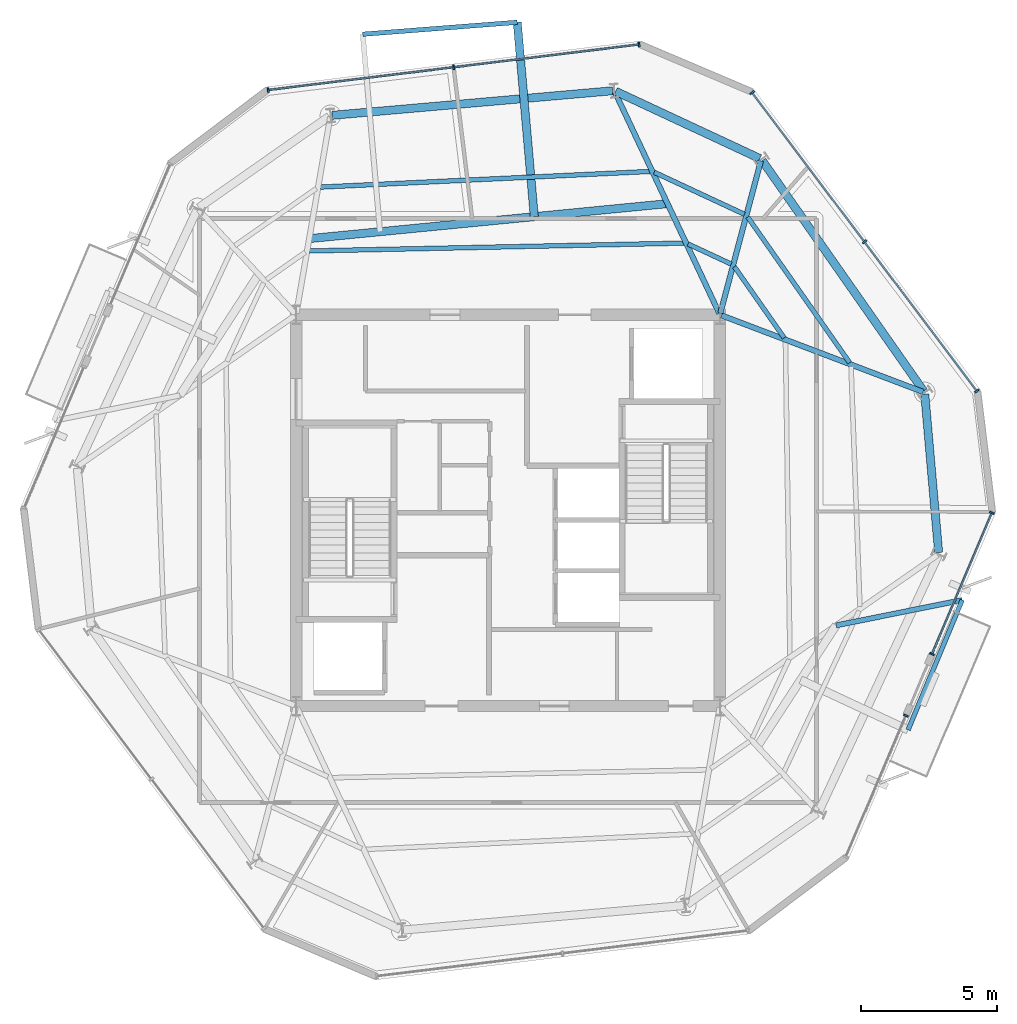
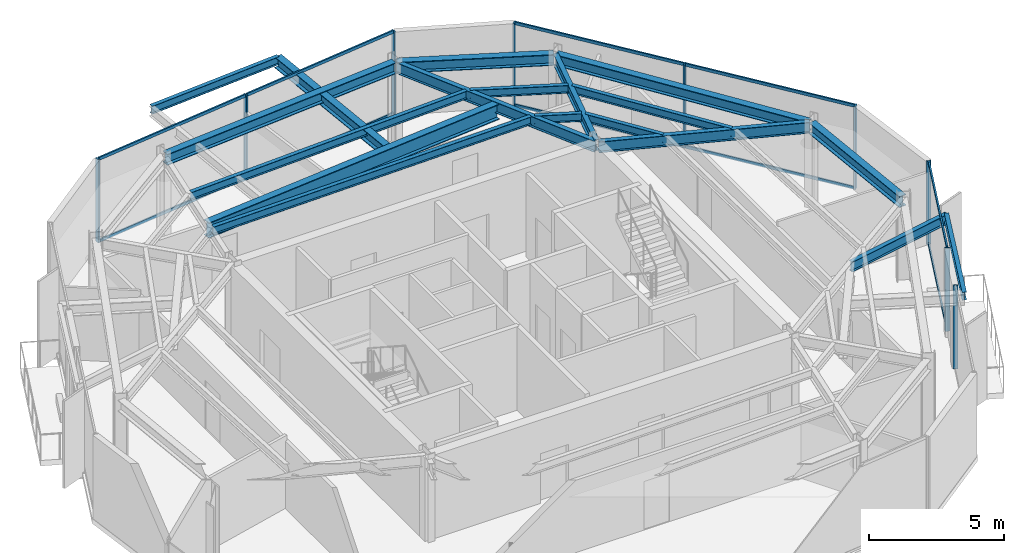
# One storey, part 5 of 11: 19 members, 18 beams, 4 elements without a shape of their own.
"""IFC4 building model written with IfcOpenShell, lengths in metres."""

from ifc_helpers import new_model, si_unit, direction, frame, origin, origin_2d, place, context, subcontext, project, spatial, rectangle, i_section, extrude, material, layer, layer_set, material_profile, profile_set, type_object, element, aggregate, save


model = new_model("IFC4")

# Units and contexts
model_context = context("Model", 3, precision=1e-05, world=origin(), true_north=direction((0.0, 1.0)))
body_context = subcontext(model_context, "Body", "Model", "MODEL_VIEW")
ifc_project = project(units=[si_unit("LENGTHUNIT", "METRE"), si_unit("AREAUNIT", "SQUARE_METRE"), si_unit("VOLUMEUNIT", "CUBIC_METRE"), si_unit("PLANEANGLEUNIT", "RADIAN"), si_unit("MASSUNIT", "GRAM", prefix="KILO")], contexts=[model_context])

# Site, building, storey
site_placement = place(None, origin())
site = spatial("IfcSite", under=ifc_project, at=site_placement, CompositionType="ELEMENT")
building_placement = place(site_placement, origin())
building = spatial("IfcBuilding", under=site, at=building_placement, Name="Kranzbogen Civic Tower", CompositionType="ELEMENT")
storey_placement = place(building_placement, frame((0.0, 0.0, 294.199951171875)))
storey = spatial("IfcBuildingStorey", under=building, at=storey_placement, Name="L71", CompositionType="ELEMENT", Elevation=294.199951171875)

# Beam
ifc_material_1 = material(Name="Steel S355", Category="steel")
ifc_material_profile_1 = material_profile(ifc_material_1, i_section(OverallWidth=0.18994140625, OverallDepth=0.449951171875, WebThickness=0.009521484375, FlangeThickness=0.0146484375, at=origin_2d()), Name="IPE 450")
ifc_profile_set_1 = profile_set([ifc_material_profile_1], Name="Steel S355")
beam_type_1 = type_object("IfcBeamType", Name="Braced Terrace Edge Beam IPE 450", PredefinedType="BEAM", material=ifc_profile_set_1)
beam_1_placement = place(storey_placement, frame((37.075927734375, 20.76708984375, 3.525146484375), z_axis=(0.980312003659, 0.197454742873, 0.0), x_axis=(-0.197454742873, 0.980312003659, 0.0)))
element("IfcBeam", 1, at=beam_1_placement, inside=storey, type_object=beam_type_1, Name="L72 back-spanned terrace beam L72-TB1-2", PredefinedType="BEAM", context=body_context, shape_type="SweptSolid", body=[
    extrude(i_section(OverallWidth=0.18994140625, OverallDepth=0.449951171875, WebThickness=0.009521484375, FlangeThickness=0.0146484375, at=origin_2d()), origin(), (0.0, 0.0, 1.0), 4.734375),
])

# Curtain wall, members
ifc_material_2 = material(Name="Pale Anodised Aluminium", Category="aluminium")
ifc_layer = layer(ifc_material_2, 0.219970703125, Name="Pale Anodised Aluminium")
ifc_layer_set = layer_set([ifc_layer], Name="Pale Anodised Aluminium")
curtain_wall_type = type_object("IfcCurtainWallType", Name="Zone 4 Stick Curtain Wall System CW-05", PredefinedType="USERDEFINED", material=ifc_layer_set)
curtain_wall_1_placement = place(storey_placement, origin())
curtain_wall_1 = element("IfcCurtainWall", 2, at=curtain_wall_1_placement, inside=storey, type_object=curtain_wall_type, Name="L71 curtain wall CW-L71-F1", ObjectType="STICK CURTAIN WALL", PredefinedType="USERDEFINED")
ifc_material_profile_2 = material_profile(ifc_material_2, rectangle(XDim=0.06494140625, YDim=0.179931640625, at=origin_2d()), Name="ALU-M 65x180")
ifc_profile_set_2 = profile_set([ifc_material_profile_2], Name="Pale Anodised Aluminium")
member_type_1 = type_object("IfcMemberType", Name="Curtain Wall Mullion ALU-M 65x180", PredefinedType="MULLION", material=ifc_profile_set_2)
member_1_placement = place(storey_placement, frame((29.82421875, 42.145263671875, 0.0), z_axis=(0.0, 0.0, 1.0), x_axis=(-0.992551595895, -0.121824995324, 0.0)))
member_1 = element("IfcMember", 3, at=member_1_placement, type_object=member_type_1, Name="CW-05 mullion 1", PredefinedType="MULLION", context=body_context, shape_type="SweptSolid", body=[
    extrude(rectangle(XDim=0.06494140625, YDim=0.179931640625, at=origin_2d()), origin(), (0.0, 0.0, 1.0), 3.780029296875),
])
member_2_placement = place(storey_placement, frame((22.998046875, 41.3076171875, 0.0), z_axis=(0.0, 0.0, 1.0), x_axis=(-0.992551595895, -0.121824995324, 0.0)))
member_2 = element("IfcMember", 4, at=member_2_placement, type_object=member_type_1, Name="CW-05 mullion 2", PredefinedType="MULLION", context=body_context, shape_type="SweptSolid", body=[
    extrude(rectangle(XDim=0.06494140625, YDim=0.179931640625, at=origin_2d()), origin(), (0.0, 0.0, 1.0), 3.780029296875),
])
member_3_placement = place(storey_placement, frame((16.171875, 40.4697265625, 0.0), z_axis=(0.0, 0.0, 1.0), x_axis=(-0.992551595895, -0.121824995324, 0.0)))
member_3 = element("IfcMember", 5, at=member_3_placement, type_object=member_type_1, Name="CW-05 mullion 3", PredefinedType="MULLION", context=body_context, shape_type="SweptSolid", body=[
    extrude(rectangle(XDim=0.06494140625, YDim=0.179931640625, at=origin_2d()), origin(), (0.0, 0.0, 1.0), 3.780029296875),
])

# Curtain wall, member
curtain_wall_2_placement = place(storey_placement, origin())
curtain_wall_2 = element("IfcCurtainWall", 6, at=curtain_wall_2_placement, inside=storey, type_object=curtain_wall_type, Name="L71 curtain wall CW-L71-F5-S1", ObjectType="STICK CURTAIN WALL", PredefinedType="USERDEFINED")
member_4_placement = place(storey_placement, frame((39.642333984375, 17.448486328125, 0.0), z_axis=(0.0, 0.0, 1.0), x_axis=(0.390702820326, 0.920516869041, 0.0)))
member_4 = element("IfcMember", 7, at=member_4_placement, type_object=member_type_1, Name="CW-05 mullion 2", PredefinedType="MULLION", context=body_context, shape_type="SweptSolid", body=[
    extrude(rectangle(XDim=0.06494140625, YDim=0.179931640625, at=origin_2d()), origin(), (0.0, 0.0, 1.0), 3.780029296875),
])
aggregate(curtain_wall_2, [member_4])

# Curtain wall, members
curtain_wall_3_placement = place(storey_placement, origin())
curtain_wall_3 = element("IfcCurtainWall", 8, at=curtain_wall_3_placement, inside=storey, type_object=curtain_wall_type, Name="L71 curtain wall CW-L71-F5-S2", ObjectType="STICK CURTAIN WALL", PredefinedType="USERDEFINED")
member_5_placement = place(storey_placement, frame((40.603759765625, 19.712646484375, 0.0), z_axis=(0.0, 0.0, 1.0), x_axis=(0.390702820326, 0.920516869041, 0.0)))
member_5 = element("IfcMember", 9, at=member_5_placement, type_object=member_type_1, Name="CW-05 mullion 1", PredefinedType="MULLION", context=body_context, shape_type="SweptSolid", body=[
    extrude(rectangle(XDim=0.06494140625, YDim=0.179931640625, at=origin_2d()), origin(), (0.0, 0.0, 1.0), 3.780029296875),
])
member_6_placement = place(storey_placement, frame((42.810302734375, 24.911376953125, 0.0), z_axis=(0.0, 0.0, 1.0), x_axis=(0.390702820326, 0.920516869041, 0.0)))
member_6 = element("IfcMember", 10, at=member_6_placement, type_object=member_type_1, Name="CW-05 mullion 2", PredefinedType="MULLION", context=body_context, shape_type="SweptSolid", body=[
    extrude(rectangle(XDim=0.06494140625, YDim=0.179931640625, at=origin_2d()), origin(), (0.0, 0.0, 1.0), 3.780029296875),
])

curtain_wall_4_placement = place(storey_placement, origin())
curtain_wall_4 = element("IfcCurtainWall", 11, at=curtain_wall_4_placement, inside=storey, type_object=curtain_wall_type, Name="L71 curtain wall CW-L71-F6", ObjectType="STICK CURTAIN WALL", PredefinedType="USERDEFINED")
member_7_placement = place(storey_placement, frame((42.260009765625, 29.39501953125, 0.0), z_axis=(0.0, 0.0, 1.0), x_axis=(-0.601816785199, 0.798634182247, 0.0)))
member_7 = element("IfcMember", 12, at=member_7_placement, type_object=member_type_1, Name="CW-05 mullion 1", PredefinedType="MULLION", context=body_context, shape_type="SweptSolid", body=[
    extrude(rectangle(XDim=0.06494140625, YDim=0.179931640625, at=origin_2d()), origin(), (0.0, 0.0, 1.0), 3.780029296875),
])
member_8_placement = place(storey_placement, frame((38.12109375, 34.887451171875, 0.0), z_axis=(0.0, 0.0, 1.0), x_axis=(-0.601816785199, 0.798634182247, 0.0)))
member_8 = element("IfcMember", 13, at=member_8_placement, type_object=member_type_1, Name="CW-05 mullion 2", PredefinedType="MULLION", context=body_context, shape_type="SweptSolid", body=[
    extrude(rectangle(XDim=0.06494140625, YDim=0.179931640625, at=origin_2d()), origin(), (0.0, 0.0, 1.0), 3.780029296875),
])
member_9_placement = place(storey_placement, frame((33.98193359375, 40.380126953125, 0.0), z_axis=(0.0, 0.0, 1.0), x_axis=(-0.601816785199, 0.798634182247, 0.0)))
member_9 = element("IfcMember", 14, at=member_9_placement, type_object=member_type_1, Name="CW-05 mullion 3", PredefinedType="MULLION", context=body_context, shape_type="SweptSolid", body=[
    extrude(rectangle(XDim=0.06494140625, YDim=0.179931640625, at=origin_2d()), origin(), (0.0, 0.0, 1.0), 3.780029296875),
])

# Member
ifc_material_profile_3 = material_profile(ifc_material_2, rectangle(XDim=0.06494140625, YDim=0.135009765625, at=origin_2d()), Name="ALU-T 65x135")
ifc_profile_set_3 = profile_set([ifc_material_profile_3], Name="Pale Anodised Aluminium")
member_type_2 = type_object("IfcMemberType", Name="Curtain Wall Transom ALU-T 65x135", PredefinedType="USERDEFINED", material=ifc_profile_set_3)
member_10_placement = place(storey_placement, frame((29.79443359375, 42.1416015625, 0.030029296875), z_axis=(-0.992550902384, -0.121830645472, 0.0), x_axis=(0.121830645472, -0.992550902384, 0.0)))
member_10 = element("IfcMember", 15, at=member_10_placement, type_object=member_type_2, Name="CW-05 transom 1.1", ObjectType="TRANSOM", PredefinedType="USERDEFINED", context=body_context, shape_type="SweptSolid", body=[
    extrude(rectangle(XDim=0.06494140625, YDim=0.135009765625, at=origin_2d()), origin(), (0.0, 0.0, 1.0), 6.8173828125),
])

member_11_placement = place(storey_placement, frame((29.79443359375, 42.1416015625, 3.75), z_axis=(-0.992550902384, -0.121830645472, 0.0), x_axis=(0.121830645472, -0.992550902384, 0.0)))
member_11 = element("IfcMember", 16, at=member_11_placement, type_object=member_type_2, Name="CW-05 transom 1.2", ObjectType="TRANSOM", PredefinedType="USERDEFINED", context=body_context, shape_type="SweptSolid", body=[
    extrude(rectangle(XDim=0.06494140625, YDim=0.135009765625, at=origin_2d()), origin(), (0.0, 0.0, 1.0), 6.8173828125),
])

member_12_placement = place(storey_placement, frame((22.96826171875, 41.303955078125, 0.030029296875), z_axis=(-0.992550902384, -0.121830645472, 0.0), x_axis=(0.121830645472, -0.992550902384, 0.0)))
member_12 = element("IfcMember", 17, at=member_12_placement, type_object=member_type_2, Name="CW-05 transom 2.1", ObjectType="TRANSOM", PredefinedType="USERDEFINED", context=body_context, shape_type="SweptSolid", body=[
    extrude(rectangle(XDim=0.06494140625, YDim=0.135009765625, at=origin_2d()), origin(), (0.0, 0.0, 1.0), 6.8173828125),
])

member_13_placement = place(storey_placement, frame((22.96826171875, 41.303955078125, 3.75), z_axis=(-0.992550902384, -0.121830645472, 0.0), x_axis=(0.121830645472, -0.992550902384, 0.0)))
member_13 = element("IfcMember", 18, at=member_13_placement, type_object=member_type_2, Name="CW-05 transom 2.2", ObjectType="TRANSOM", PredefinedType="USERDEFINED", context=body_context, shape_type="SweptSolid", body=[
    extrude(rectangle(XDim=0.06494140625, YDim=0.135009765625, at=origin_2d()), origin(), (0.0, 0.0, 1.0), 6.8173828125),
])

aggregate(curtain_wall_1, [member_1, member_2, member_3, member_10, member_11, member_12, member_13])

member_14_placement = place(storey_placement, frame((40.615478515625, 19.740234375, 0.030029296875), z_axis=(0.390700198967, 0.920517981642, 0.0), x_axis=(-0.920517981642, 0.390700198967, 0.0)))
member_14 = element("IfcMember", 19, at=member_14_placement, type_object=member_type_2, Name="CW-05 transom 1.1", ObjectType="TRANSOM", PredefinedType="USERDEFINED", context=body_context, shape_type="SweptSolid", body=[
    extrude(rectangle(XDim=0.06494140625, YDim=0.135009765625, at=origin_2d()), origin(), (0.0, 0.0, 1.0), 5.587646484375),
])

member_15_placement = place(storey_placement, frame((40.615478515625, 19.740234375, 3.75), z_axis=(0.390700198967, 0.920517981642, 0.0), x_axis=(-0.920517981642, 0.390700198967, 0.0)))
member_15 = element("IfcMember", 20, at=member_15_placement, type_object=member_type_2, Name="CW-05 transom 1.2", ObjectType="TRANSOM", PredefinedType="USERDEFINED", context=body_context, shape_type="SweptSolid", body=[
    extrude(rectangle(XDim=0.06494140625, YDim=0.135009765625, at=origin_2d()), origin(), (0.0, 0.0, 1.0), 5.587646484375),
])

aggregate(curtain_wall_3, [member_5, member_6, member_14, member_15])

member_16_placement = place(storey_placement, frame((42.241943359375, 29.4189453125, 0.030029296875), z_axis=(-0.601814820519, 0.798635662742, 0.0), x_axis=(-0.798635662742, -0.601814820519, 0.0)))
member_16 = element("IfcMember", 21, at=member_16_placement, type_object=member_type_2, Name="CW-05 transom 1.1", ObjectType="TRANSOM", PredefinedType="USERDEFINED", context=body_context, shape_type="SweptSolid", body=[
    extrude(rectangle(XDim=0.06494140625, YDim=0.135009765625, at=origin_2d()), origin(), (0.0, 0.0, 1.0), 6.8173828125),
])

member_17_placement = place(storey_placement, frame((42.241943359375, 29.4189453125, 3.75), z_axis=(-0.601814820519, 0.798635662742, 0.0), x_axis=(-0.798635662742, -0.601814820519, 0.0)))
member_17 = element("IfcMember", 22, at=member_17_placement, type_object=member_type_2, Name="CW-05 transom 1.2", ObjectType="TRANSOM", PredefinedType="USERDEFINED", context=body_context, shape_type="SweptSolid", body=[
    extrude(rectangle(XDim=0.06494140625, YDim=0.135009765625, at=origin_2d()), origin(), (0.0, 0.0, 1.0), 6.8173828125),
])

member_18_placement = place(storey_placement, frame((38.10302734375, 34.911376953125, 0.030029296875), z_axis=(-0.601820449389, 0.798631421056, 0.0), x_axis=(-0.798631421056, -0.601820449389, 0.0)))
member_18 = element("IfcMember", 23, at=member_18_placement, type_object=member_type_2, Name="CW-05 transom 2.1", ObjectType="TRANSOM", PredefinedType="USERDEFINED", context=body_context, shape_type="SweptSolid", body=[
    extrude(rectangle(XDim=0.06494140625, YDim=0.135009765625, at=origin_2d()), origin(), (0.0, 0.0, 1.0), 6.817626953125),
])

member_19_placement = place(storey_placement, frame((38.10302734375, 34.911376953125, 3.75), z_axis=(-0.601820449389, 0.798631421056, 0.0), x_axis=(-0.798631421056, -0.601820449389, 0.0)))
member_19 = element("IfcMember", 24, at=member_19_placement, type_object=member_type_2, Name="CW-05 transom 2.2", ObjectType="TRANSOM", PredefinedType="USERDEFINED", context=body_context, shape_type="SweptSolid", body=[
    extrude(rectangle(XDim=0.06494140625, YDim=0.135009765625, at=origin_2d()), origin(), (0.0, 0.0, 1.0), 6.817626953125),
])

aggregate(curtain_wall_4, [member_7, member_8, member_9, member_16, member_17, member_18, member_19])

# Beams
ifc_material_profile_4 = material_profile(ifc_material_1, i_section(OverallWidth=0.300048828125, OverallDepth=0.5, WebThickness=0.014404296875, FlangeThickness=0.028076171875, at=origin_2d()), Name="HEB 500")
ifc_profile_set_4 = profile_set([ifc_material_profile_4], Name="Steel S355")
beam_type_2 = type_object("IfcBeamType", Name="Perimeter Tube Spandrel Beam HEB 500", PredefinedType="SPANDREL", material=ifc_profile_set_4)
beam_2_placement = place(storey_placement, frame((40.85009765625, 23.449951171875, 3.530029296875), z_axis=(-0.087326362434, 0.99617975608, 0.0), x_axis=(-0.99617975608, -0.087326362434, 0.0)))
element("IfcBeam", 25, at=beam_2_placement, inside=storey, type_object=beam_type_2, Name="L71 perimeter spandrel beam 06", PredefinedType="SPANDREL", context=body_context, shape_type="SweptSolid", body=[
    extrude(i_section(OverallWidth=0.300048828125, OverallDepth=0.5, WebThickness=0.014404296875, FlangeThickness=0.028076171875, at=origin_2d()), origin(), (0.0, 0.0, 1.0), 5.8515625),
])
beam_3_placement = place(storey_placement, frame((40.300048828125, 29.387939453125, 3.530029296875), z_axis=(-0.573577759301, 0.819151117948, 0.0), x_axis=(-0.819151117948, -0.573577759301, 0.0)))
element("IfcBeam", 26, at=beam_3_placement, inside=storey, type_object=beam_type_2, Name="L71 perimeter spandrel beam 07", PredefinedType="SPANDREL", context=body_context, shape_type="SweptSolid", body=[
    extrude(i_section(OverallWidth=0.300048828125, OverallDepth=0.5, WebThickness=0.014404296875, FlangeThickness=0.028076171875, at=origin_2d()), origin(), (0.0, 0.0, 1.0), 10.36328125),
])
beam_4_placement = place(storey_placement, frame((34.26806640625, 37.950927734375, 3.530029296875), z_axis=(-0.906289661556, 0.422657129784, 0.0), x_axis=(-0.422657129784, -0.906289661556, 0.0)))
element("IfcBeam", 27, at=beam_4_placement, inside=storey, type_object=beam_type_2, Name="L71 perimeter spandrel beam 08", PredefinedType="SPANDREL", context=body_context, shape_type="SweptSolid", body=[
    extrude(i_section(OverallWidth=0.300048828125, OverallDepth=0.5, WebThickness=0.014404296875, FlangeThickness=0.028076171875, at=origin_2d()), origin(), (0.0, 0.0, 1.0), 5.853759765625),
])
beam_5_placement = place(storey_placement, frame((28.84912109375, 40.445068359375, 3.530029296875), z_axis=(-0.996186373839, -0.087250837114, 0.0), x_axis=(0.087250837114, -0.996186373839, 0.0)))
element("IfcBeam", 28, at=beam_5_placement, inside=storey, type_object=beam_type_2, Name="L71 perimeter spandrel beam 09", PredefinedType="SPANDREL", context=body_context, shape_type="SweptSolid", body=[
    extrude(i_section(OverallWidth=0.300048828125, OverallDepth=0.5, WebThickness=0.014404296875, FlangeThickness=0.028076171875, at=origin_2d()), origin(), (0.0, 0.0, 1.0), 10.361572265625),
])
beam_6_placement = place(storey_placement, frame((25.967041015625, 35.81103515625, 3.469970703125), z_axis=(-0.087301478163, 0.996181937153, 0.0), x_axis=(-0.996181937153, -0.087301478163, 0.0)))
element("IfcBeam", 29, at=beam_6_placement, inside=storey, type_object=beam_type_2, Name="L72 back-spanned terrace beam L72-ST-1", PredefinedType="SPANDREL", context=body_context, shape_type="SweptSolid", body=[
    extrude(i_section(OverallWidth=0.300048828125, OverallDepth=0.5, WebThickness=0.014404296875, FlangeThickness=0.028076171875, at=origin_2d()), origin(), (0.0, 0.0, 1.0), 7.181396484375),
])
ifc_material_profile_5 = material_profile(ifc_material_1, i_section(OverallWidth=0.300048828125, OverallDepth=0.699951171875, WebThickness=0.01708984375, FlangeThickness=0.031982421875, at=origin_2d()), Name="HEB 700")
ifc_profile_set_5 = profile_set([ifc_material_profile_5], Name="Steel S355")
beam_type_3 = type_object("IfcBeamType", Name="Perimeter Tube Spandrel Beam HEB 700", PredefinedType="SPANDREL", material=ifc_profile_set_5)
beam_7_placement = place(storey_placement, frame((30.87109375, 36.2900390625, 3.3701171875), z_axis=(-0.995270463506, -0.097142701589, 0.0), x_axis=(0.097142701589, -0.995270463506, 0.0)))
element("IfcBeam", 30, at=beam_7_placement, inside=storey, type_object=beam_type_3, Name="L72 balcony back-span header girder L72-ST", PredefinedType="SPANDREL", context=body_context, shape_type="SweptSolid", body=[
    extrude(i_section(OverallWidth=0.300048828125, OverallDepth=0.699951171875, WebThickness=0.01708984375, FlangeThickness=0.031982421875, at=origin_2d()), origin(), (0.0, 0.0, 1.0), 13.249755859375),
])
ifc_material_profile_6 = material_profile(ifc_material_1, i_section(OverallWidth=0.199951171875, OverallDepth=0.5, WebThickness=0.01025390625, FlangeThickness=0.01611328125, at=origin_2d()), Name="IPE 500")
ifc_profile_set_6 = profile_set([ifc_material_profile_6], Name="Steel S355")
beam_type_4 = type_object("IfcBeamType", Name="Radial Tower Floor Girder IPE 500", PredefinedType="BEAM", material=ifc_profile_set_6)
beam_8_placement = place(storey_placement, frame((40.278076171875, 29.360107421875, 3.530029296875), z_axis=(-0.934848709689, 0.355046320913, 0.0), x_axis=(-0.355046320913, -0.934848709689, 0.0)))
element("IfcBeam", 31, at=beam_8_placement, inside=storey, type_object=beam_type_4, Name="L71 radial floor girder 07", PredefinedType="BEAM", context=body_context, shape_type="SweptSolid", body=[
    extrude(i_section(OverallWidth=0.199951171875, OverallDepth=0.5, WebThickness=0.01025390625, FlangeThickness=0.01611328125, at=origin_2d()), origin(), (0.0, 0.0, 1.0), 7.939453125),
])
beam_9_placement = place(storey_placement, frame((34.306884765625, 37.867919921875, 3.530029296875), z_axis=(-0.257016017622, -0.966407143333, 0.0), x_axis=(0.966407143333, -0.257016017622, 0.0)))
element("IfcBeam", 32, at=beam_9_placement, inside=storey, type_object=beam_type_4, Name="L71 radial floor girder 08", PredefinedType="BEAM", context=body_context, shape_type="SweptSolid", body=[
    extrude(i_section(OverallWidth=0.199951171875, OverallDepth=0.5, WebThickness=0.01025390625, FlangeThickness=0.01611328125, at=origin_2d()), origin(), (0.0, 0.0, 1.0), 5.804931640625),
])
beam_10_placement = place(storey_placement, frame((28.93505859375, 40.39599609375, 3.530029296875), z_axis=(0.426460441273, -0.904506214478, 0.0), x_axis=(0.904506214478, 0.426460441273, 0.0)))
element("IfcBeam", 33, at=beam_10_placement, inside=storey, type_object=beam_type_4, Name="L71 radial floor girder 09", PredefinedType="BEAM", context=body_context, shape_type="SweptSolid", body=[
    extrude(i_section(OverallWidth=0.199951171875, OverallDepth=0.5, WebThickness=0.01025390625, FlangeThickness=0.01611328125, at=origin_2d()), origin(), (0.0, 0.0, 1.0), 9.001708984375),
])
ifc_material_profile_7 = material_profile(ifc_material_1, i_section(OverallWidth=0.169921875, OverallDepth=0.360107421875, WebThickness=0.008056640625, FlangeThickness=0.0126953125, at=origin_2d()), Name="IPE 360")
ifc_profile_set_7 = profile_set([ifc_material_profile_7], Name="Steel S355")
beam_type_5 = type_object("IfcBeamType", Name="Secondary Composite Floor Joist IPE 360", PredefinedType="JOIST", material=ifc_profile_set_7)
beam_11_placement = place(storey_placement, frame((37.575927734375, 30.43408203125, 3.60009765625), z_axis=(-0.573499872939, 0.819205649235, 0.0), x_axis=(-0.819205649235, -0.573499872939, 0.0)))
element("IfcBeam", 34, at=beam_11_placement, inside=storey, type_object=beam_type_5, Name="L71 secondary floor joist 1.07", PredefinedType="JOIST", context=body_context, shape_type="SweptSolid", body=[
    extrude(i_section(OverallWidth=0.169921875, OverallDepth=0.360107421875, WebThickness=0.008056640625, FlangeThickness=0.0126953125, at=origin_2d()), origin(), (0.0, 0.0, 1.0), 6.549072265625),
])
beam_12_placement = place(storey_placement, frame((35.1650390625, 31.35009765625, 3.60009765625), z_axis=(-0.573498248491, 0.819206786457, 0.0), x_axis=(-0.819206786457, -0.573498248491, 0.0)))
element("IfcBeam", 35, at=beam_12_placement, inside=storey, type_object=beam_type_5, Name="L71 secondary floor joist 2.07", PredefinedType="JOIST", context=body_context, shape_type="SweptSolid", body=[
    extrude(i_section(OverallWidth=0.169921875, OverallDepth=0.360107421875, WebThickness=0.008056640625, FlangeThickness=0.0126953125, at=origin_2d()), origin(), (0.0, 0.0, 1.0), 3.194580078125),
])
beam_13_placement = place(storey_placement, frame((33.701904296875, 35.89794921875, 3.60009765625), z_axis=(-0.906303996948, 0.422626389517, 0.0), x_axis=(-0.422626389517, -0.906303996948, 0.0)))
element("IfcBeam", 36, at=beam_13_placement, inside=storey, type_object=beam_type_5, Name="L71 secondary floor joist 1.08", PredefinedType="JOIST", context=body_context, shape_type="SweptSolid", body=[
    extrude(i_section(OverallWidth=0.169921875, OverallDepth=0.360107421875, WebThickness=0.008056640625, FlangeThickness=0.0126953125, at=origin_2d()), origin(), (0.0, 0.0, 1.0), 3.6630859375),
])
beam_14_placement = place(storey_placement, frame((33.215087890625, 34.06591796875, 3.60009765625), z_axis=(-0.906432174342, 0.422351409751, 0.0), x_axis=(-0.422351409751, -0.906432174342, 0.0)))
element("IfcBeam", 37, at=beam_14_placement, inside=storey, type_object=beam_type_5, Name="L71 secondary floor joist 2.08", PredefinedType="JOIST", context=body_context, shape_type="SweptSolid", body=[
    extrude(i_section(OverallWidth=0.169921875, OverallDepth=0.360107421875, WebThickness=0.008056640625, FlangeThickness=0.0126953125, at=origin_2d()), origin(), (0.0, 0.0, 1.0), 1.751953125),
])
beam_15_placement = place(storey_placement, frame((30.22998046875, 37.47607421875, 3.60009765625), z_axis=(-0.998871634781, -0.047491654324, 0.0), x_axis=(0.047491654324, -0.998871634781, 0.0)))
element("IfcBeam", 38, at=beam_15_placement, inside=storey, type_object=beam_type_5, Name="L71 secondary floor joist 1.09", PredefinedType="JOIST", context=body_context, shape_type="SweptSolid", body=[
    extrude(i_section(OverallWidth=0.169921875, OverallDepth=0.360107421875, WebThickness=0.008056640625, FlangeThickness=0.0126953125, at=origin_2d()), origin(), (0.0, 0.0, 1.0), 12.152587890625),
])
beam_16_placement = place(storey_placement, frame((31.47509765625, 34.837890625, 3.60009765625), z_axis=(-0.999780746893, -0.020939392104, 0.0), x_axis=(0.020939392104, -0.999780746893, 0.0)))
element("IfcBeam", 39, at=beam_16_placement, inside=storey, type_object=beam_type_5, Name="L71 secondary floor joist 2.09", PredefinedType="JOIST", context=body_context, shape_type="SweptSolid", body=[
    extrude(i_section(OverallWidth=0.169921875, OverallDepth=0.360107421875, WebThickness=0.008056640625, FlangeThickness=0.0126953125, at=origin_2d()), origin(), (0.0, 0.0, 1.0), 13.79296875),
])
beam_17_placement = place(storey_placement, frame((39.72509765625, 16.919921875, 3.570068359375), z_axis=(0.384525029064, 0.923114566034, 0.0), x_axis=(-0.923114566034, 0.384525029064, 0.0)))
element("IfcBeam", 40, at=beam_17_placement, inside=storey, type_object=beam_type_5, Name="L72 terrace outer edge trimmer L72-TB1", PredefinedType="JOIST", context=body_context, shape_type="SweptSolid", body=[
    extrude(i_section(OverallWidth=0.169921875, OverallDepth=0.360107421875, WebThickness=0.008056640625, FlangeThickness=0.0126953125, at=origin_2d()), origin(), (0.0, 0.0, 1.0), 5.18017578125),
])
beam_18_placement = place(storey_placement, frame((25.340087890625, 42.965087890625, 3.5400390625), z_axis=(-0.997031023795, -0.077000893441, 0.0), x_axis=(0.077000893441, -0.997031023795, 0.0)))
element("IfcBeam", 41, at=beam_18_placement, inside=storey, type_object=beam_type_5, Name="L72 terrace outer edge trimmer L72-ST", PredefinedType="JOIST", context=body_context, shape_type="SweptSolid", body=[
    extrude(i_section(OverallWidth=0.169921875, OverallDepth=0.360107421875, WebThickness=0.008056640625, FlangeThickness=0.0126953125, at=origin_2d()), origin(), (0.0, 0.0, 1.0), 5.703857421875),
])

save(model, "model.ifc")
